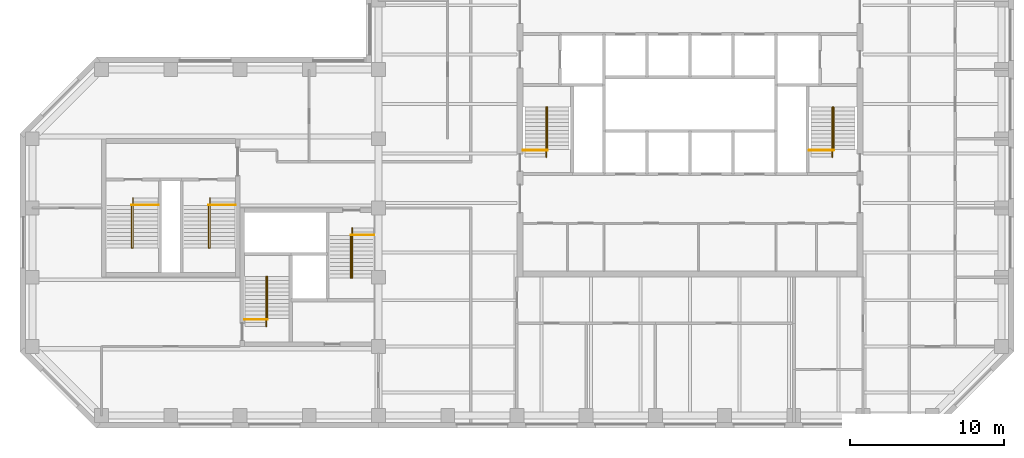
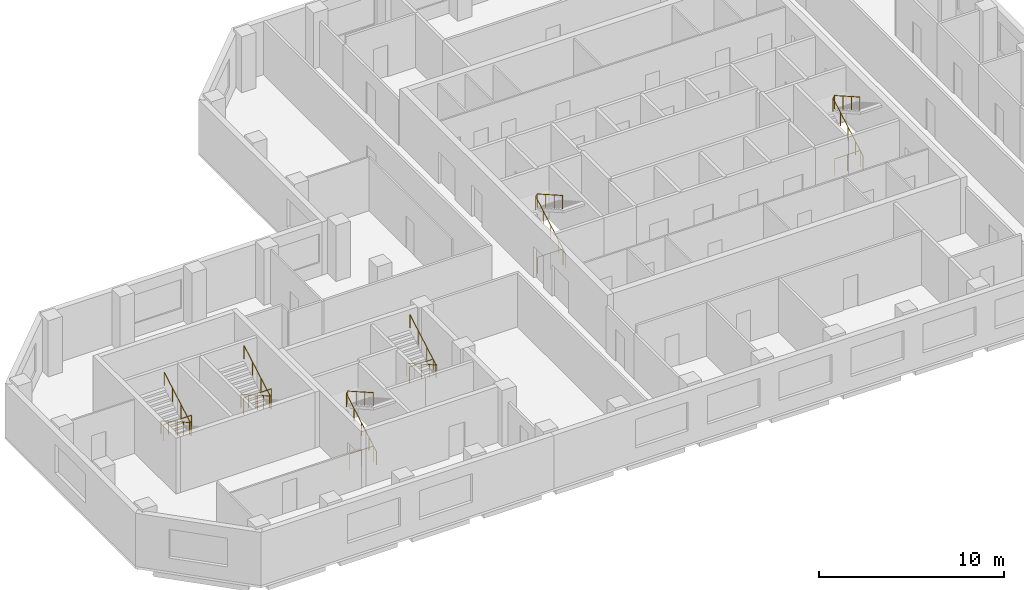
# One storey, part 9 of 9: 12 railings.
"""IFC4 building model written with IfcOpenShell, lengths in metres."""

from ifc_helpers import new_model, si_unit, direction, frame, origin, origin_2d, place, context, subcontext, project, spatial, circle, extrude, material, type_object, element, save


model = new_model("IFC4")

# Units and contexts
model_context = context("Model", 3, precision=1e-05, world=origin(), true_north=direction((0.0, 1.0)))
body_context = subcontext(model_context, "Body", "Model", "MODEL_VIEW")
ifc_project = project(units=[si_unit("LENGTHUNIT", "METRE"), si_unit("AREAUNIT", "SQUARE_METRE"), si_unit("VOLUMEUNIT", "CUBIC_METRE"), si_unit("PLANEANGLEUNIT", "RADIAN"), si_unit("MASSUNIT", "GRAM", prefix="KILO")], contexts=[model_context])

# Site, building, storey
site_placement = place(None, origin())
site = spatial("IfcSite", under=ifc_project, at=site_placement, CompositionType="ELEMENT")
building_placement = place(site_placement, origin())
building = spatial("IfcBuilding", under=site, at=building_placement, Name="Quoin Convention Tower", CompositionType="ELEMENT")
storey_placement = place(building_placement, frame((0.0, 0.0, 177.300048828125)))
storey = spatial("IfcBuildingStorey", under=building, at=storey_placement, Name="L46", CompositionType="ELEMENT", Elevation=177.300048828125)

# Railings
ifc_material = material(Name="Stainless steel", Category="steel")
railing_type_1 = type_object("IfcRailingType", Name="Stair handrail 900", PredefinedType="HANDRAIL", material=ifc_material)
railing_1_placement = place(storey_placement, frame((46.905029296875, 57.300048828125, 0.142333984375)))
element("IfcRailing", 1, at=railing_1_placement, inside=storey, type_object=railing_type_1, Name="SD1 handrail 1", PredefinedType="HANDRAIL", context=body_context, shape_type="SweptSolid", body=[
    extrude(circle(Radius=0.02392578125, at=origin_2d()), frame((0.0, 0.0, 0.8759765625), z_axis=(0.0, 0.869081571614, 0.494668800189), x_axis=(-1.0, 0.0, 0.0)), (0.0, 0.0, 1.0), 3.739501953125),
    extrude(circle(Radius=0.02392578125, at=origin_2d()), frame((0.0, 3.25, 2.7255859375), z_axis=(0.53481069233, 0.0, 0.844971906852), x_axis=(0.0, 1.0, 0.0)), (0.0, 0.0, 1.0), 0.16845703125),
    extrude(circle(Radius=0.02392578125, at=origin_2d()), frame((0.090087890625, 3.25, 2.8681640625), z_axis=(0.0, -0.869058607571, 0.494709143443), x_axis=(1.0, 0.0, 0.0)), (0.0, 0.0, 1.0), 3.164306640625),
    extrude(circle(Radius=0.02099609375, at=origin_2d()), origin(), (0.0, 0.0, 1.0), 0.851806640625),
    extrude(circle(Radius=0.02099609375, at=origin_2d()), frame((0.0, 0.8125, 0.46240234375)), (0.0, 0.0, 1.0), 0.851806640625),
    extrude(circle(Radius=0.02099609375, at=origin_2d()), frame((0.0, 1.625, 0.9248046875)), (0.0, 0.0, 1.0), 0.851806640625),
    extrude(circle(Radius=0.02099609375, at=origin_2d()), frame((0.0, 2.4375, 1.387451171875)), (0.0, 0.0, 1.0), 0.851806640625),
    extrude(circle(Radius=0.02099609375, at=origin_2d()), frame((0.0, 3.25, 1.849853515625)), (0.0, 0.0, 1.0), 0.851806640625),
    extrude(circle(Radius=0.02099609375, at=origin_2d()), frame((0.090087890625, 3.25, 1.9921875)), (0.0, 0.0, 1.0), 0.851806640625),
    extrude(circle(Radius=0.02099609375, at=origin_2d()), frame((0.090087890625, 2.333251953125, 2.513916015625)), (0.0, 0.0, 1.0), 0.851806640625),
    extrude(circle(Radius=0.02099609375, at=origin_2d()), frame((0.090087890625, 1.416748046875, 3.035888671875)), (0.0, 0.0, 1.0), 0.851806640625),
    extrude(circle(Radius=0.02099609375, at=origin_2d()), frame((0.090087890625, 0.5, 3.5576171875)), (0.0, 0.0, 1.0), 0.851806640625),
])
railing_2_placement = place(storey_placement, frame((65.5048828125, 57.300048828125, 0.142333984375)))
element("IfcRailing", 2, at=railing_2_placement, inside=storey, type_object=railing_type_1, Name="SD2 handrail 1", PredefinedType="HANDRAIL", context=body_context, shape_type="SweptSolid", body=[
    extrude(circle(Radius=0.02392578125, at=origin_2d()), frame((0.0, 0.0, 0.8759765625), z_axis=(0.0, 0.869081571614, 0.494668800189), x_axis=(-1.0, 0.0, 0.0)), (0.0, 0.0, 1.0), 3.739501953125),
    extrude(circle(Radius=0.02392578125, at=origin_2d()), frame((0.0, 3.25, 2.7255859375), z_axis=(0.53481069233, 0.0, 0.844971906852), x_axis=(0.0, 1.0, 0.0)), (0.0, 0.0, 1.0), 0.16845703125),
    extrude(circle(Radius=0.02392578125, at=origin_2d()), frame((0.090087890625, 3.25, 2.8681640625), z_axis=(0.0, -0.869058607571, 0.494709143443), x_axis=(1.0, 0.0, 0.0)), (0.0, 0.0, 1.0), 3.164306640625),
    extrude(circle(Radius=0.02099609375, at=origin_2d()), origin(), (0.0, 0.0, 1.0), 0.851806640625),
    extrude(circle(Radius=0.02099609375, at=origin_2d()), frame((0.0, 0.8125, 0.46240234375)), (0.0, 0.0, 1.0), 0.851806640625),
    extrude(circle(Radius=0.02099609375, at=origin_2d()), frame((0.0, 1.625, 0.9248046875)), (0.0, 0.0, 1.0), 0.851806640625),
    extrude(circle(Radius=0.02099609375, at=origin_2d()), frame((0.0, 2.4375, 1.387451171875)), (0.0, 0.0, 1.0), 0.851806640625),
    extrude(circle(Radius=0.02099609375, at=origin_2d()), frame((0.0, 3.25, 1.849853515625)), (0.0, 0.0, 1.0), 0.851806640625),
    extrude(circle(Radius=0.02099609375, at=origin_2d()), frame((0.090087890625, 3.25, 1.9921875)), (0.0, 0.0, 1.0), 0.851806640625),
    extrude(circle(Radius=0.02099609375, at=origin_2d()), frame((0.090087890625, 2.333251953125, 2.513916015625)), (0.0, 0.0, 1.0), 0.851806640625),
    extrude(circle(Radius=0.02099609375, at=origin_2d()), frame((0.090087890625, 1.416748046875, 3.035888671875)), (0.0, 0.0, 1.0), 0.851806640625),
    extrude(circle(Radius=0.02099609375, at=origin_2d()), frame((0.090087890625, 0.5, 3.5576171875)), (0.0, 0.0, 1.0), 0.851806640625),
])
railing_3_placement = place(storey_placement, frame((28.705078125, 46.300048828125, 0.142333984375)))
element("IfcRailing", 3, at=railing_3_placement, inside=storey, type_object=railing_type_1, Name="SD3 handrail 1", PredefinedType="HANDRAIL", context=body_context, shape_type="SweptSolid", body=[
    extrude(circle(Radius=0.02392578125, at=origin_2d()), frame((0.0, 0.0, 0.8759765625), z_axis=(0.0, 0.869081571614, 0.494668800189), x_axis=(-1.0, 0.0, 0.0)), (0.0, 0.0, 1.0), 3.739501953125),
    extrude(circle(Radius=0.02392578125, at=origin_2d()), frame((0.0, 3.25, 2.7255859375), z_axis=(0.533774684331, 0.0, 0.845626741753), x_axis=(0.0, 1.0, 0.0)), (0.0, 0.0, 1.0), 0.168212890625),
    extrude(circle(Radius=0.02392578125, at=origin_2d()), frame((0.08984375, 3.25, 2.8681640625), z_axis=(0.0, -0.869058607571, 0.494709143443), x_axis=(1.0, 0.0, 0.0)), (0.0, 0.0, 1.0), 3.164306640625),
    extrude(circle(Radius=0.02099609375, at=origin_2d()), origin(), (0.0, 0.0, 1.0), 0.851806640625),
    extrude(circle(Radius=0.02099609375, at=origin_2d()), frame((0.0, 0.8125, 0.46240234375)), (0.0, 0.0, 1.0), 0.851806640625),
    extrude(circle(Radius=0.02099609375, at=origin_2d()), frame((0.0, 1.625, 0.9248046875)), (0.0, 0.0, 1.0), 0.851806640625),
    extrude(circle(Radius=0.02099609375, at=origin_2d()), frame((0.0, 2.4375, 1.387451171875)), (0.0, 0.0, 1.0), 0.851806640625),
    extrude(circle(Radius=0.02099609375, at=origin_2d()), frame((0.0, 3.25, 1.849853515625)), (0.0, 0.0, 1.0), 0.851806640625),
    extrude(circle(Radius=0.02099609375, at=origin_2d()), frame((0.08984375, 3.25, 1.9921875)), (0.0, 0.0, 1.0), 0.851806640625),
    extrude(circle(Radius=0.02099609375, at=origin_2d()), frame((0.08984375, 2.333251953125, 2.513916015625)), (0.0, 0.0, 1.0), 0.851806640625),
    extrude(circle(Radius=0.02099609375, at=origin_2d()), frame((0.08984375, 1.416748046875, 3.035888671875)), (0.0, 0.0, 1.0), 0.851806640625),
    extrude(circle(Radius=0.02099609375, at=origin_2d()), frame((0.08984375, 0.5, 3.5576171875)), (0.0, 0.0, 1.0), 0.851806640625),
])
railing_4_placement = place(storey_placement, frame((34.294921875, 52.699951171875, 0.142333984375)))
element("IfcRailing", 4, at=railing_4_placement, inside=storey, type_object=railing_type_1, Name="SD4 handrail 1", PredefinedType="HANDRAIL", context=body_context, shape_type="SweptSolid", body=[
    extrude(circle(Radius=0.02392578125, at=origin_2d()), frame((0.0, 0.0, 0.8759765625), z_axis=(0.0, -0.869081571614, 0.494668800189), x_axis=(1.0, 0.0, 0.0)), (0.0, 0.0, 1.0), 3.739501953125),
    extrude(circle(Radius=0.02392578125, at=origin_2d()), frame((0.0, -3.25, 2.7255859375), z_axis=(-0.533774684331, 0.0, 0.845626741753), x_axis=(0.0, -1.0, 0.0)), (0.0, 0.0, 1.0), 0.168212890625),
    extrude(circle(Radius=0.02392578125, at=origin_2d()), frame((-0.08984375, -3.25, 2.8681640625), z_axis=(0.0, 0.869058607571, 0.494709143443), x_axis=(-1.0, 0.0, 0.0)), (0.0, 0.0, 1.0), 3.164306640625),
    extrude(circle(Radius=0.02099609375, at=origin_2d()), origin(), (0.0, 0.0, 1.0), 0.851806640625),
    extrude(circle(Radius=0.02099609375, at=origin_2d()), frame((0.0, -0.8125, 0.46240234375)), (0.0, 0.0, 1.0), 0.851806640625),
    extrude(circle(Radius=0.02099609375, at=origin_2d()), frame((0.0, -1.625, 0.9248046875)), (0.0, 0.0, 1.0), 0.851806640625),
    extrude(circle(Radius=0.02099609375, at=origin_2d()), frame((0.0, -2.4375, 1.387451171875)), (0.0, 0.0, 1.0), 0.851806640625),
    extrude(circle(Radius=0.02099609375, at=origin_2d()), frame((0.0, -3.25, 1.849853515625)), (0.0, 0.0, 1.0), 0.851806640625),
    extrude(circle(Radius=0.02099609375, at=origin_2d()), frame((-0.08984375, -3.25, 1.9921875)), (0.0, 0.0, 1.0), 0.851806640625),
    extrude(circle(Radius=0.02099609375, at=origin_2d()), frame((-0.08984375, -2.333251953125, 2.513916015625)), (0.0, 0.0, 1.0), 0.851806640625),
    extrude(circle(Radius=0.02099609375, at=origin_2d()), frame((-0.08984375, -1.416748046875, 3.035888671875)), (0.0, 0.0, 1.0), 0.851806640625),
    extrude(circle(Radius=0.02099609375, at=origin_2d()), frame((-0.08984375, -0.5, 3.5576171875)), (0.0, 0.0, 1.0), 0.851806640625),
])
railing_5_placement = place(storey_placement, frame((20.044921875, 54.64990234375, 0.142333984375)))
element("IfcRailing", 5, at=railing_5_placement, inside=storey, type_object=railing_type_1, Name="SD11 handrail 1", PredefinedType="HANDRAIL", context=body_context, shape_type="SweptSolid", body=[
    extrude(circle(Radius=0.02392578125, at=origin_2d()), frame((0.0, 0.0, 0.8759765625), z_axis=(0.0, -0.869081571614, 0.494668800189), x_axis=(1.0, 0.0, 0.0)), (0.0, 0.0, 1.0), 3.739501953125),
    extrude(circle(Radius=0.02392578125, at=origin_2d()), frame((0.0, -3.25, 2.7255859375), z_axis=(-0.533774684331, 0.0, 0.845626741753), x_axis=(0.0, -1.0, 0.0)), (0.0, 0.0, 1.0), 0.168212890625),
    extrude(circle(Radius=0.02392578125, at=origin_2d()), frame((-0.08984375, -3.25, 2.8681640625), z_axis=(0.0, 0.869058607571, 0.494709143443), x_axis=(-1.0, 0.0, 0.0)), (0.0, 0.0, 1.0), 3.164306640625),
    extrude(circle(Radius=0.02099609375, at=origin_2d()), origin(), (0.0, 0.0, 1.0), 0.851806640625),
    extrude(circle(Radius=0.02099609375, at=origin_2d()), frame((0.0, -0.8125, 0.46240234375)), (0.0, 0.0, 1.0), 0.851806640625),
    extrude(circle(Radius=0.02099609375, at=origin_2d()), frame((0.0, -1.625, 0.9248046875)), (0.0, 0.0, 1.0), 0.851806640625),
    extrude(circle(Radius=0.02099609375, at=origin_2d()), frame((0.0, -2.4375, 1.387451171875)), (0.0, 0.0, 1.0), 0.851806640625),
    extrude(circle(Radius=0.02099609375, at=origin_2d()), frame((0.0, -3.25, 1.849853515625)), (0.0, 0.0, 1.0), 0.851806640625),
    extrude(circle(Radius=0.02099609375, at=origin_2d()), frame((-0.08984375, -3.25, 1.9921875)), (0.0, 0.0, 1.0), 0.851806640625),
    extrude(circle(Radius=0.02099609375, at=origin_2d()), frame((-0.08984375, -2.333251953125, 2.513916015625)), (0.0, 0.0, 1.0), 0.851806640625),
    extrude(circle(Radius=0.02099609375, at=origin_2d()), frame((-0.08984375, -1.416748046875, 3.035888671875)), (0.0, 0.0, 1.0), 0.851806640625),
    extrude(circle(Radius=0.02099609375, at=origin_2d()), frame((-0.08984375, -0.5, 3.5576171875)), (0.0, 0.0, 1.0), 0.851806640625),
])
railing_6_placement = place(storey_placement, frame((25.044921875, 54.64990234375, 0.142333984375)))
element("IfcRailing", 6, at=railing_6_placement, inside=storey, type_object=railing_type_1, Name="SD12 handrail 1", PredefinedType="HANDRAIL", context=body_context, shape_type="SweptSolid", body=[
    extrude(circle(Radius=0.02392578125, at=origin_2d()), frame((0.0, 0.0, 0.8759765625), z_axis=(0.0, -0.869081571614, 0.494668800189), x_axis=(1.0, 0.0, 0.0)), (0.0, 0.0, 1.0), 3.739501953125),
    extrude(circle(Radius=0.02392578125, at=origin_2d()), frame((0.0, -3.25, 2.7255859375), z_axis=(-0.533774684331, 0.0, 0.845626741753), x_axis=(0.0, -1.0, 0.0)), (0.0, 0.0, 1.0), 0.168212890625),
    extrude(circle(Radius=0.02392578125, at=origin_2d()), frame((-0.08984375, -3.25, 2.8681640625), z_axis=(0.0, 0.869058607571, 0.494709143443), x_axis=(-1.0, 0.0, 0.0)), (0.0, 0.0, 1.0), 3.164306640625),
    extrude(circle(Radius=0.02099609375, at=origin_2d()), origin(), (0.0, 0.0, 1.0), 0.851806640625),
    extrude(circle(Radius=0.02099609375, at=origin_2d()), frame((0.0, -0.8125, 0.46240234375)), (0.0, 0.0, 1.0), 0.851806640625),
    extrude(circle(Radius=0.02099609375, at=origin_2d()), frame((0.0, -1.625, 0.9248046875)), (0.0, 0.0, 1.0), 0.851806640625),
    extrude(circle(Radius=0.02099609375, at=origin_2d()), frame((0.0, -2.4375, 1.387451171875)), (0.0, 0.0, 1.0), 0.851806640625),
    extrude(circle(Radius=0.02099609375, at=origin_2d()), frame((0.0, -3.25, 1.849853515625)), (0.0, 0.0, 1.0), 0.851806640625),
    extrude(circle(Radius=0.02099609375, at=origin_2d()), frame((-0.08984375, -3.25, 1.9921875)), (0.0, 0.0, 1.0), 0.851806640625),
    extrude(circle(Radius=0.02099609375, at=origin_2d()), frame((-0.08984375, -2.333251953125, 2.513916015625)), (0.0, 0.0, 1.0), 0.851806640625),
    extrude(circle(Radius=0.02099609375, at=origin_2d()), frame((-0.08984375, -1.416748046875, 3.035888671875)), (0.0, 0.0, 1.0), 0.851806640625),
    extrude(circle(Radius=0.02099609375, at=origin_2d()), frame((-0.08984375, -0.5, 3.5576171875)), (0.0, 0.0, 1.0), 0.851806640625),
])
railing_type_2 = type_object("IfcRailingType", Name="Stair top guard 1100", PredefinedType="GUARDRAIL", material=ifc_material)
railing_7_placement = place(storey_placement, frame((45.39990234375, 57.75, 0.0)))
element("IfcRailing", 7, at=railing_7_placement, inside=storey, type_object=railing_type_2, Name="SD1 top guard", PredefinedType="GUARDRAIL", context=body_context, shape_type="SweptSolid", body=[
    extrude(circle(Radius=0.02392578125, at=origin_2d()), frame((0.0, 0.0, 1.076171875), z_axis=(1.0, 0.0, 0.0), x_axis=(0.0, 1.0, 0.0)), (0.0, 0.0, 1.0), 1.59521484375),
    extrude(circle(Radius=0.02099609375, at=origin_2d()), origin(), (0.0, 0.0, 1.0), 1.052001953125),
    extrude(circle(Radius=0.02099609375, at=origin_2d()), frame((0.797607421875, 0.0, 0.0)), (0.0, 0.0, 1.0), 1.052001953125),
    extrude(circle(Radius=0.02099609375, at=origin_2d()), frame((1.59521484375, 0.0, 0.0)), (0.0, 0.0, 1.0), 1.052001953125),
])
railing_8_placement = place(storey_placement, frame((64.0, 57.75, 0.0)))
element("IfcRailing", 8, at=railing_8_placement, inside=storey, type_object=railing_type_2, Name="SD2 top guard", PredefinedType="GUARDRAIL", context=body_context, shape_type="SweptSolid", body=[
    extrude(circle(Radius=0.02392578125, at=origin_2d()), frame((0.0, 0.0, 1.076171875), z_axis=(1.0, 0.0, 0.0), x_axis=(0.0, 1.0, 0.0)), (0.0, 0.0, 1.0), 1.594970703125),
    extrude(circle(Radius=0.02099609375, at=origin_2d()), origin(), (0.0, 0.0, 1.0), 1.052001953125),
    extrude(circle(Radius=0.02099609375, at=origin_2d()), frame((0.79736328125, 0.0, 0.0)), (0.0, 0.0, 1.0), 1.052001953125),
    extrude(circle(Radius=0.02099609375, at=origin_2d()), frame((1.594970703125, 0.0, 0.0)), (0.0, 0.0, 1.0), 1.052001953125),
])
railing_9_placement = place(storey_placement, frame((27.300048828125, 46.75, 0.0)))
element("IfcRailing", 9, at=railing_9_placement, inside=storey, type_object=railing_type_2, Name="SD3 top guard", PredefinedType="GUARDRAIL", context=body_context, shape_type="SweptSolid", body=[
    extrude(circle(Radius=0.02392578125, at=origin_2d()), frame((0.0, 0.0, 1.076171875), z_axis=(1.0, 0.0, 0.0), x_axis=(0.0, 1.0, 0.0)), (0.0, 0.0, 1.0), 1.494873046875),
    extrude(circle(Radius=0.02099609375, at=origin_2d()), origin(), (0.0, 0.0, 1.0), 1.052001953125),
    extrude(circle(Radius=0.02099609375, at=origin_2d()), frame((0.74755859375, 0.0, 0.0)), (0.0, 0.0, 1.0), 1.052001953125),
    extrude(circle(Radius=0.02099609375, at=origin_2d()), frame((1.494873046875, 0.0, 0.0)), (0.0, 0.0, 1.0), 1.052001953125),
])
railing_10_placement = place(storey_placement, frame((35.699951171875, 52.25, 0.0)))
element("IfcRailing", 10, at=railing_10_placement, inside=storey, type_object=railing_type_2, Name="SD4 top guard", PredefinedType="GUARDRAIL", context=body_context, shape_type="SweptSolid", body=[
    extrude(circle(Radius=0.02392578125, at=origin_2d()), frame((0.0, 0.0, 1.076171875), z_axis=(-1.0, 0.0, 0.0), x_axis=(0.0, -1.0, 0.0)), (0.0, 0.0, 1.0), 1.494873046875),
    extrude(circle(Radius=0.02099609375, at=origin_2d()), origin(), (0.0, 0.0, 1.0), 1.052001953125),
    extrude(circle(Radius=0.02099609375, at=origin_2d()), frame((-0.74755859375, 0.0, 0.0)), (0.0, 0.0, 1.0), 1.052001953125),
    extrude(circle(Radius=0.02099609375, at=origin_2d()), frame((-1.494873046875, 0.0, 0.0)), (0.0, 0.0, 1.0), 1.052001953125),
])
for number, where, name in (
    (11, (21.699951171875, 54.199951171875, 0.0), "SD11 top guard"),
    (12, (26.699951171875, 54.199951171875, 0.0), "SD12 top guard"),
):
    element("IfcRailing", number, at=place(storey_placement, frame(where)), inside=storey, type_object=railing_type_2, Name=name, PredefinedType="GUARDRAIL", context=body_context, shape_type="SweptSolid", body=[
        extrude(circle(Radius=0.02392578125, at=origin_2d()), frame((0.0, 0.0, 1.076171875), z_axis=(-1.0, 0.0, 0.0), x_axis=(0.0, -1.0, 0.0)), (0.0, 0.0, 1.0), 1.744873046875),
        extrude(circle(Radius=0.02099609375, at=origin_2d()), origin(), (0.0, 0.0, 1.0), 1.052001953125),
        extrude(circle(Radius=0.02099609375, at=origin_2d()), frame((-0.87255859375, 0.0, 0.0)), (0.0, 0.0, 1.0), 1.052001953125),
        extrude(circle(Radius=0.02099609375, at=origin_2d()), frame((-1.744873046875, 0.0, 0.0)), (0.0, 0.0, 1.0), 1.052001953125),
    ])

save(model, "model.ifc")
